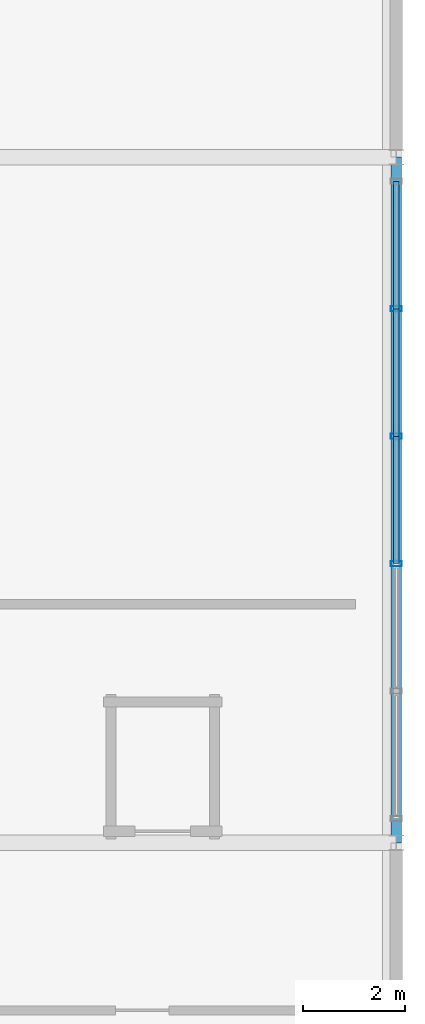
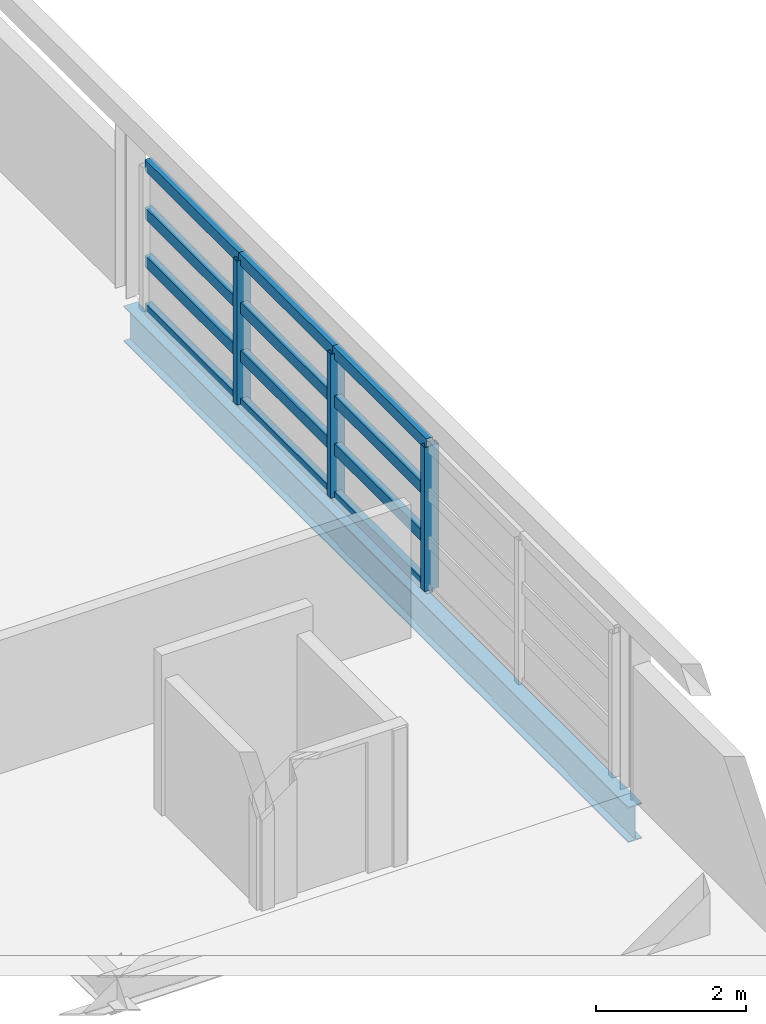
# One storey, part 18 of 27: 15 members, 1 beam, 1 element without a shape of its own.
"""IFC4 building model written with IfcOpenShell, lengths in metres."""

from ifc_helpers import new_model, si_unit, direction, frame, origin, origin_2d, place, context, subcontext, project, spatial, hollow_rectangle, i_section, extrude, material, material_profile, profile_set, type_object, element, aggregate, save


model = new_model("IFC4")

# Units and contexts
model_context = context("Model", 3, precision=1e-05, world=origin(), true_north=direction((0.0, 1.0)))
body_context = subcontext(model_context, "Body", "Model", "MODEL_VIEW")
ifc_project = project(units=[si_unit("LENGTHUNIT", "METRE"), si_unit("AREAUNIT", "SQUARE_METRE"), si_unit("VOLUMEUNIT", "CUBIC_METRE"), si_unit("PLANEANGLEUNIT", "RADIAN"), si_unit("MASSUNIT", "GRAM", prefix="KILO")], contexts=[model_context])

# Site, building, storey
site_placement = place(None, origin())
site = spatial("IfcSite", under=ifc_project, at=site_placement, CompositionType="ELEMENT")
building_placement = place(site_placement, origin())
building = spatial("IfcBuilding", under=site, at=building_placement, Name="Chuanluo Vaults Station", CompositionType="ELEMENT")
storey_placement = place(building_placement, frame((0.0, 0.0, 20.800048828125)))
storey = spatial("IfcBuildingStorey", under=building, at=storey_placement, Name="L05", CompositionType="ELEMENT", Elevation=20.800048828125)

# Beam
ifc_material_1 = material(Name="Steel Q355C", Category="steel")
ifc_material_profile_1 = material_profile(ifc_material_1, i_section(OverallWidth=0.2099609375, OverallDepth=0.580078125, WebThickness=0.010986328125, FlangeThickness=0.01708984375, FilletRadius=0.01806640625, at=origin_2d()))
ifc_profile_set_1 = profile_set([ifc_material_profile_1], Name="Steel Q355C")
beam_type = type_object("IfcBeamType", Name="BM-SPN-600", PredefinedType="SPANDREL", material=ifc_profile_set_1)
beam_placement = place(storey_placement, frame((188.0, 103.5, -0.510009765625), z_axis=(0.0, 1.0, 0.0), x_axis=(-1.0, 0.0, 0.0)))
element("IfcBeam", 1, at=beam_placement, inside=storey, type_object=beam_type, Name="Floor girder BM:GY:L05:1014", PredefinedType="SPANDREL", context=body_context, shape_type="SweptSolid", body=[
    extrude(i_section(OverallWidth=0.2099609375, OverallDepth=0.580078125, WebThickness=0.010986328125, FlangeThickness=0.01708984375, FilletRadius=0.01806640625, at=origin_2d()), origin(), (0.0, 0.0, 1.0), 13.5),
])

# Curtain wall, members
ifc_material_2 = material(Name="Anodised aluminium 6063-T6", Category="aluminium")
curtain_wall_type = type_object("IfcCurtainWallType", Name="CW-SYS-04", PredefinedType="NOTDEFINED", material=ifc_material_2)
curtain_wall_placement = place(storey_placement, origin())
curtain_wall = element("IfcCurtainWall", 2, at=curtain_wall_placement, inside=storey, type_object=curtain_wall_type, Name="Operations L05 facade CW", PredefinedType="NOTDEFINED")
ifc_material_3 = material(Name="Anodised aluminium 6063-T6", Category="aluminium")
ifc_material_profile_2 = material_profile(ifc_material_3, hollow_rectangle(XDim=0.10498046875, YDim=0.219970703125, WallThickness=0.006103515625, at=origin_2d()))
ifc_profile_set_2 = profile_set([ifc_material_profile_2], Name="Anodised aluminium 6063-T6")
member_type_1 = type_object("IfcMemberType", Name="CWM-140", PredefinedType="MULLION", material=ifc_profile_set_2)
member_1_placement = place(storey_placement, frame((188.0, 114.014892578125, 0.0), z_axis=(0.0, 0.0, 1.0), x_axis=(0.0, -1.0, 0.0)))
member_1 = element("IfcMember", 3, at=member_1_placement, type_object=member_type_1, Name="Operations L05 facade CW mullion 2", PredefinedType="MULLION", context=body_context, shape_type="SweptSolid", body=[
    extrude(hollow_rectangle(XDim=0.10498046875, YDim=0.219970703125, WallThickness=0.006103515625, at=origin_2d()), origin(), (0.0, 0.0, 1.0), 2.349853515625),
])
member_2_placement = place(storey_placement, frame((188.0, 111.5048828125, 0.0), z_axis=(0.0, 0.0, 1.0), x_axis=(0.0, -1.0, 0.0)))
member_2 = element("IfcMember", 4, at=member_2_placement, type_object=member_type_1, Name="Operations L05 facade CW mullion 3", PredefinedType="MULLION", context=body_context, shape_type="SweptSolid", body=[
    extrude(hollow_rectangle(XDim=0.10498046875, YDim=0.219970703125, WallThickness=0.006103515625, at=origin_2d()), origin(), (0.0, 0.0, 1.0), 2.349853515625),
])
member_3_placement = place(storey_placement, frame((188.0, 108.9951171875, 0.0), z_axis=(0.0, 0.0, 1.0), x_axis=(0.0, -1.0, 0.0)))
member_3 = element("IfcMember", 5, at=member_3_placement, type_object=member_type_1, Name="Operations L05 facade CW mullion 4", PredefinedType="MULLION", context=body_context, shape_type="SweptSolid", body=[
    extrude(hollow_rectangle(XDim=0.10498046875, YDim=0.219970703125, WallThickness=0.006103515625, at=origin_2d()), origin(), (0.0, 0.0, 1.0), 2.349853515625),
])
ifc_material_4 = material(Name="Anodised aluminium 6063-T6", Category="aluminium")
ifc_material_profile_3 = material_profile(ifc_material_4, hollow_rectangle(XDim=0.10498046875, YDim=0.18505859375, WallThickness=0.0048828125, at=origin_2d()))
ifc_profile_set_3 = profile_set([ifc_material_profile_3], Name="Anodised aluminium 6063-T6")
member_type_2 = type_object("IfcMemberType", Name="CWT-110", PredefinedType="USERDEFINED", material=ifc_profile_set_3)
member_4_placement = place(storey_placement, frame((188.0, 116.52490234375, 0.0), z_axis=(0.0, -1.0, 0.0), x_axis=(1.0, 0.0, 0.0)))
member_4 = element("IfcMember", 6, at=member_4_placement, type_object=member_type_2, Name="Operations L05 facade CW transom 1.1", ObjectType="TRANSOM", PredefinedType="USERDEFINED", context=body_context, shape_type="SweptSolid", body=[
    extrude(hollow_rectangle(XDim=0.10498046875, YDim=0.18505859375, WallThickness=0.0048828125, at=origin_2d()), origin(), (0.0, 0.0, 1.0), 2.510009765625),
])
member_5_placement = place(storey_placement, frame((188.0, 116.52490234375, 0.783203125), z_axis=(0.0, -1.0, 0.0), x_axis=(1.0, 0.0, 0.0)))
member_5 = element("IfcMember", 7, at=member_5_placement, type_object=member_type_2, Name="Operations L05 facade CW transom 1.2", ObjectType="TRANSOM", PredefinedType="USERDEFINED", context=body_context, shape_type="SweptSolid", body=[
    extrude(hollow_rectangle(XDim=0.10498046875, YDim=0.18505859375, WallThickness=0.0048828125, at=origin_2d()), origin(), (0.0, 0.0, 1.0), 2.510009765625),
])
member_6_placement = place(storey_placement, frame((188.0, 116.52490234375, 1.566650390625), z_axis=(0.0, -1.0, 0.0), x_axis=(1.0, 0.0, 0.0)))
member_6 = element("IfcMember", 8, at=member_6_placement, type_object=member_type_2, Name="Operations L05 facade CW transom 1.3", ObjectType="TRANSOM", PredefinedType="USERDEFINED", context=body_context, shape_type="SweptSolid", body=[
    extrude(hollow_rectangle(XDim=0.10498046875, YDim=0.18505859375, WallThickness=0.0048828125, at=origin_2d()), origin(), (0.0, 0.0, 1.0), 2.510009765625),
])
member_7_placement = place(storey_placement, frame((188.0, 116.52490234375, 2.349853515625), z_axis=(0.0, -1.0, 0.0), x_axis=(1.0, 0.0, 0.0)))
member_7 = element("IfcMember", 9, at=member_7_placement, type_object=member_type_2, Name="Operations L05 facade CW transom 1.4", ObjectType="TRANSOM", PredefinedType="USERDEFINED", context=body_context, shape_type="SweptSolid", body=[
    extrude(hollow_rectangle(XDim=0.10498046875, YDim=0.18505859375, WallThickness=0.0048828125, at=origin_2d()), origin(), (0.0, 0.0, 1.0), 2.510009765625),
])
member_8_placement = place(storey_placement, frame((188.0, 114.014892578125, 0.0), z_axis=(0.0, -1.0, 0.0), x_axis=(1.0, 0.0, 0.0)))
member_8 = element("IfcMember", 10, at=member_8_placement, type_object=member_type_2, Name="Operations L05 facade CW transom 2.1", ObjectType="TRANSOM", PredefinedType="USERDEFINED", context=body_context, shape_type="SweptSolid", body=[
    extrude(hollow_rectangle(XDim=0.10498046875, YDim=0.18505859375, WallThickness=0.0048828125, at=origin_2d()), origin(), (0.0, 0.0, 1.0), 2.510009765625),
])
member_9_placement = place(storey_placement, frame((188.0, 114.014892578125, 0.783203125), z_axis=(0.0, -1.0, 0.0), x_axis=(1.0, 0.0, 0.0)))
member_9 = element("IfcMember", 11, at=member_9_placement, type_object=member_type_2, Name="Operations L05 facade CW transom 2.2", ObjectType="TRANSOM", PredefinedType="USERDEFINED", context=body_context, shape_type="SweptSolid", body=[
    extrude(hollow_rectangle(XDim=0.10498046875, YDim=0.18505859375, WallThickness=0.0048828125, at=origin_2d()), origin(), (0.0, 0.0, 1.0), 2.510009765625),
])
member_10_placement = place(storey_placement, frame((188.0, 114.014892578125, 1.566650390625), z_axis=(0.0, -1.0, 0.0), x_axis=(1.0, 0.0, 0.0)))
member_10 = element("IfcMember", 12, at=member_10_placement, type_object=member_type_2, Name="Operations L05 facade CW transom 2.3", ObjectType="TRANSOM", PredefinedType="USERDEFINED", context=body_context, shape_type="SweptSolid", body=[
    extrude(hollow_rectangle(XDim=0.10498046875, YDim=0.18505859375, WallThickness=0.0048828125, at=origin_2d()), origin(), (0.0, 0.0, 1.0), 2.510009765625),
])
member_11_placement = place(storey_placement, frame((188.0, 114.014892578125, 2.349853515625), z_axis=(0.0, -1.0, 0.0), x_axis=(1.0, 0.0, 0.0)))
member_11 = element("IfcMember", 13, at=member_11_placement, type_object=member_type_2, Name="Operations L05 facade CW transom 2.4", ObjectType="TRANSOM", PredefinedType="USERDEFINED", context=body_context, shape_type="SweptSolid", body=[
    extrude(hollow_rectangle(XDim=0.10498046875, YDim=0.18505859375, WallThickness=0.0048828125, at=origin_2d()), origin(), (0.0, 0.0, 1.0), 2.510009765625),
])
member_12_placement = place(storey_placement, frame((188.0, 111.5048828125, 0.0), z_axis=(0.0, -1.0, 0.0), x_axis=(1.0, 0.0, 0.0)))
member_12 = element("IfcMember", 14, at=member_12_placement, type_object=member_type_2, Name="Operations L05 facade CW transom 3.1", ObjectType="TRANSOM", PredefinedType="USERDEFINED", context=body_context, shape_type="SweptSolid", body=[
    extrude(hollow_rectangle(XDim=0.10498046875, YDim=0.18505859375, WallThickness=0.0048828125, at=origin_2d()), origin(), (0.0, 0.0, 1.0), 2.509765625),
])
member_13_placement = place(storey_placement, frame((188.0, 111.5048828125, 0.783203125), z_axis=(0.0, -1.0, 0.0), x_axis=(1.0, 0.0, 0.0)))
member_13 = element("IfcMember", 15, at=member_13_placement, type_object=member_type_2, Name="Operations L05 facade CW transom 3.2", ObjectType="TRANSOM", PredefinedType="USERDEFINED", context=body_context, shape_type="SweptSolid", body=[
    extrude(hollow_rectangle(XDim=0.10498046875, YDim=0.18505859375, WallThickness=0.0048828125, at=origin_2d()), origin(), (0.0, 0.0, 1.0), 2.509765625),
])
member_14_placement = place(storey_placement, frame((188.0, 111.5048828125, 1.566650390625), z_axis=(0.0, -1.0, 0.0), x_axis=(1.0, 0.0, 0.0)))
member_14 = element("IfcMember", 16, at=member_14_placement, type_object=member_type_2, Name="Operations L05 facade CW transom 3.3", ObjectType="TRANSOM", PredefinedType="USERDEFINED", context=body_context, shape_type="SweptSolid", body=[
    extrude(hollow_rectangle(XDim=0.10498046875, YDim=0.18505859375, WallThickness=0.0048828125, at=origin_2d()), origin(), (0.0, 0.0, 1.0), 2.509765625),
])
member_15_placement = place(storey_placement, frame((188.0, 111.5048828125, 2.349853515625), z_axis=(0.0, -1.0, 0.0), x_axis=(1.0, 0.0, 0.0)))
member_15 = element("IfcMember", 17, at=member_15_placement, type_object=member_type_2, Name="Operations L05 facade CW transom 3.4", ObjectType="TRANSOM", PredefinedType="USERDEFINED", context=body_context, shape_type="SweptSolid", body=[
    extrude(hollow_rectangle(XDim=0.10498046875, YDim=0.18505859375, WallThickness=0.0048828125, at=origin_2d()), origin(), (0.0, 0.0, 1.0), 2.509765625),
])
aggregate(curtain_wall, [member_1, member_2, member_3, member_4, member_5, member_6, member_7, member_8, member_9, member_10, member_11, member_12, member_13, member_14, member_15])

save(model, "model.ifc")
